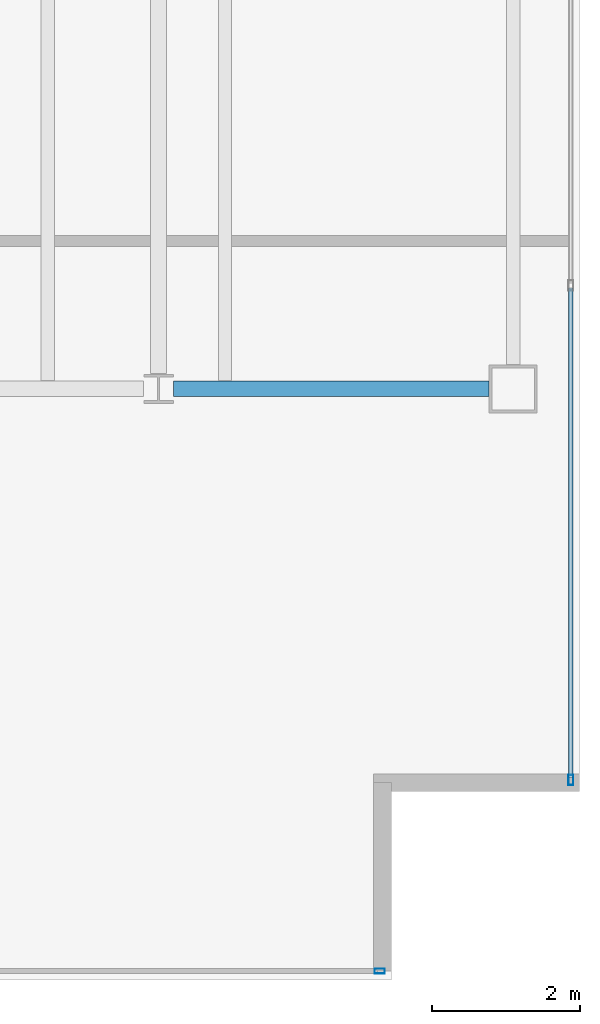
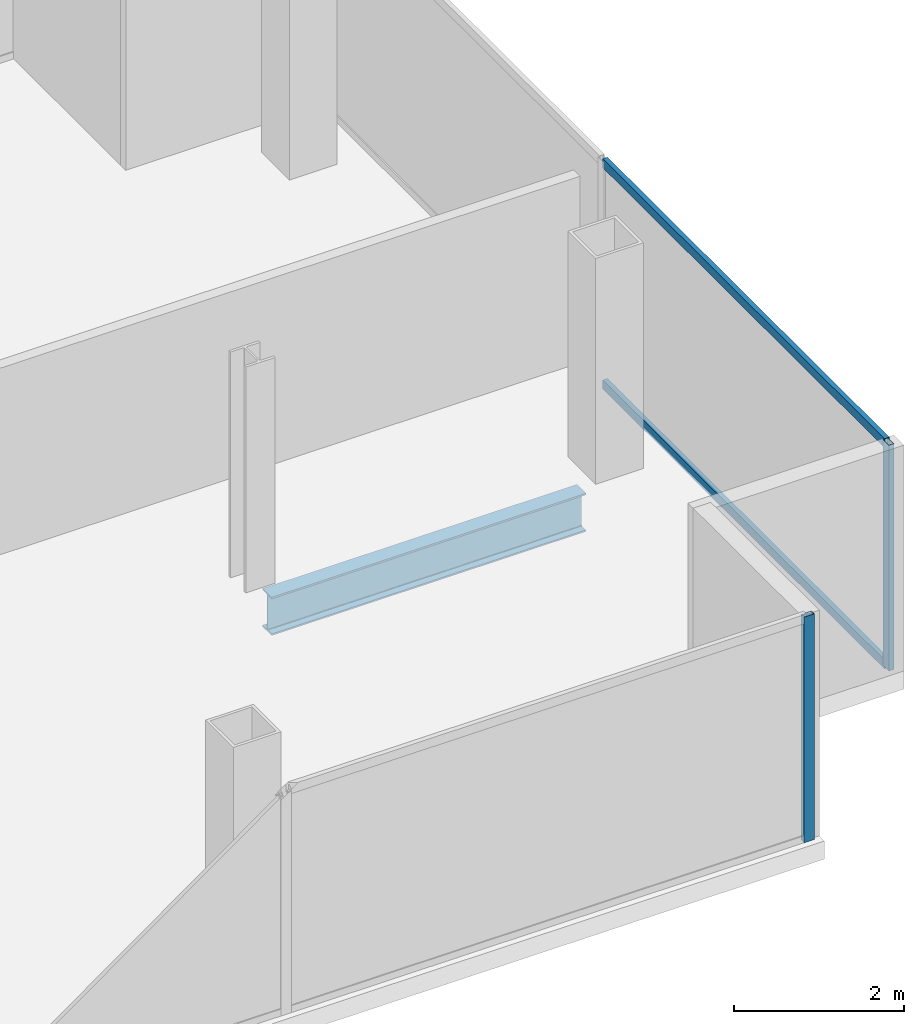
# One storey, part 14 of 23: 4 members, 1 beam, 2 elements without a shape of their own.
"""IFC4 building model written with IfcOpenShell, lengths in metres."""

from ifc_helpers import new_model, si_unit, direction, frame, origin, origin_2d, place, context, subcontext, project, spatial, hollow_rectangle, i_section, extrude, material, material_profile, profile_set, type_object, element, aggregate, save


model = new_model("IFC4")

# Units and contexts
model_context = context("Model", 3, precision=1e-05, world=origin(), true_north=direction((0.0, 1.0)))
body_context = subcontext(model_context, "Body", "Model", "MODEL_VIEW")
ifc_project = project(units=[si_unit("LENGTHUNIT", "METRE"), si_unit("AREAUNIT", "SQUARE_METRE"), si_unit("VOLUMEUNIT", "CUBIC_METRE"), si_unit("PLANEANGLEUNIT", "RADIAN"), si_unit("MASSUNIT", "GRAM", prefix="KILO")], contexts=[model_context])

# Site, building, storey
site_placement = place(None, origin())
site = spatial("IfcSite", under=ifc_project, at=site_placement, CompositionType="ELEMENT")
building_placement = place(site_placement, origin())
building = spatial("IfcBuilding", under=site, at=building_placement, Name="Cobrela Telecom Tower", CompositionType="ELEMENT")
storey_placement = place(building_placement, frame((0.0, 0.0, 255.14990234375)))
storey = spatial("IfcBuildingStorey", under=building, at=storey_placement, Name="L66", CompositionType="ELEMENT", Elevation=255.14990234375)

# Beam
ifc_material_1 = material(Name="Steel ASTM A992 Grade 50", Category="steel")
ifc_material_profile_1 = material_profile(ifc_material_1, i_section(OverallWidth=0.212890625, OverallDepth=0.549072265625, WebThickness=0.0146484375, FlangeThickness=0.023681640625, FilletRadius=0.013916015625, at=origin_2d()), Name="W21X93")
ifc_profile_set_1 = profile_set([ifc_material_profile_1], Name="Steel ASTM A992 Grade 50")
beam_type = type_object("IfcBeamType", Name="BM-GIRD-08", PredefinedType="USERDEFINED", material=ifc_profile_set_1)
beam_placement = place(storey_placement, frame((40.1044921875, 14.39990234375, -0.534423828125), z_axis=(1.0, 0.0, 0.0), x_axis=(0.0, 1.0, 0.0)))
element("IfcBeam", 1, at=beam_placement, inside=storey, type_object=beam_type, Name="L66 Primary Girder X09", ObjectType="GIRDER", PredefinedType="USERDEFINED", context=body_context, shape_type="SweptSolid", body=[
    extrude(i_section(OverallWidth=0.212890625, OverallDepth=0.549072265625, WebThickness=0.0146484375, FlangeThickness=0.023681640625, FilletRadius=0.013916015625, at=origin_2d()), origin(), (0.0, 0.0, 1.0), 4.265625),
])

# Curtain wall, member
ifc_material_2 = material(Name="Anodized Bronze Aluminium 6063-T6", Category="aluminium")
curtain_wall_type = type_object("IfcCurtainWallType", Name="CW-SYS-OFF-HI", PredefinedType="USERDEFINED", material=ifc_material_2)
curtain_wall_1_placement = place(storey_placement, origin())
curtain_wall_1 = element("IfcCurtainWall", 2, at=curtain_wall_1_placement, inside=storey, type_object=curtain_wall_type, Name="L66 Unitised Bronze Curtain Wall 12", ObjectType="UNITISED CURTAIN WALL", PredefinedType="USERDEFINED")
ifc_material_profile_2 = material_profile(ifc_material_2, hollow_rectangle(XDim=0.070068359375, YDim=0.139892578125, WallThickness=0.00390625, at=origin_2d()), Name="ALU 70x140x4")
ifc_profile_set_2 = profile_set([ifc_material_profile_2], Name="Anodized Bronze Aluminium 6063-T6")
member_type_1 = type_object("IfcMemberType", Name="CW-SYS-OFF-HI-MUL", PredefinedType="MULLION", material=ifc_profile_set_2)
member_1_placement = place(storey_placement, frame((45.47998046875, 9.10498046875, 0.0), z_axis=(0.0, 0.0, 1.0), x_axis=(1.0, 0.0, 0.0)))
member_1 = element("IfcMember", 3, at=member_1_placement, type_object=member_type_1, Name="CW-OFF-HI mullion 3", PredefinedType="MULLION", context=body_context, shape_type="SweptSolid", body=[
    extrude(hollow_rectangle(XDim=0.070068359375, YDim=0.139892578125, WallThickness=0.00390625, at=origin_2d()), origin(), (0.0, 0.0, 1.0), 3.239990234375),
])

curtain_wall_2_placement = place(storey_placement, origin())
curtain_wall_2 = element("IfcCurtainWall", 4, at=curtain_wall_2_placement, inside=storey, type_object=curtain_wall_type, Name="L66 Unitised Bronze Curtain Wall 15", ObjectType="UNITISED CURTAIN WALL", PredefinedType="USERDEFINED")
member_2_placement = place(storey_placement, frame((42.89501953125, 6.52001953125, 0.0), z_axis=(0.0, 0.0, 1.0), x_axis=(0.0, -1.0, 0.0)))
member_2 = element("IfcMember", 5, at=member_2_placement, type_object=member_type_1, Name="CW-OFF-HI mullion 1", PredefinedType="MULLION", context=body_context, shape_type="SweptSolid", body=[
    extrude(hollow_rectangle(XDim=0.070068359375, YDim=0.139892578125, WallThickness=0.00390625, at=origin_2d()), origin(), (0.0, 0.0, 1.0), 3.239990234375),
])
aggregate(curtain_wall_2, [member_2])

# Member
ifc_material_profile_3 = material_profile(ifc_material_2, hollow_rectangle(XDim=0.06494140625, YDim=0.1298828125, WallThickness=0.00390625, at=origin_2d()), Name="ALU 65x130x4")
ifc_profile_set_3 = profile_set([ifc_material_profile_3], Name="Anodized Bronze Aluminium 6063-T6")
member_type_2 = type_object("IfcMemberType", Name="CW-SYS-OFF-HI-TRN", PredefinedType="USERDEFINED", material=ifc_profile_set_3)
member_3_placement = place(storey_placement, frame((45.47998046875, 15.764892578125, 0.03271484375), z_axis=(0.0, -1.0, 0.0), x_axis=(1.0, 0.0, 0.0)))
member_3 = element("IfcMember", 6, at=member_3_placement, type_object=member_type_2, Name="CW-OFF-HI transom 2.1", ObjectType="TRANSOM", PredefinedType="USERDEFINED", context=body_context, shape_type="SweptSolid", body=[
    extrude(hollow_rectangle(XDim=0.06494140625, YDim=0.1298828125, WallThickness=0.00390625, at=origin_2d()), origin(), (0.0, 0.0, 1.0), 6.625),
])

member_4_placement = place(storey_placement, frame((45.47998046875, 15.764892578125, 3.20751953125), z_axis=(0.0, -1.0, 0.0), x_axis=(1.0, 0.0, 0.0)))
member_4 = element("IfcMember", 7, at=member_4_placement, type_object=member_type_2, Name="CW-OFF-HI transom 2.2", ObjectType="TRANSOM", PredefinedType="USERDEFINED", context=body_context, shape_type="SweptSolid", body=[
    extrude(hollow_rectangle(XDim=0.06494140625, YDim=0.1298828125, WallThickness=0.00390625, at=origin_2d()), origin(), (0.0, 0.0, 1.0), 6.625),
])

aggregate(curtain_wall_1, [member_1, member_3, member_4])

save(model, "model.ifc")
